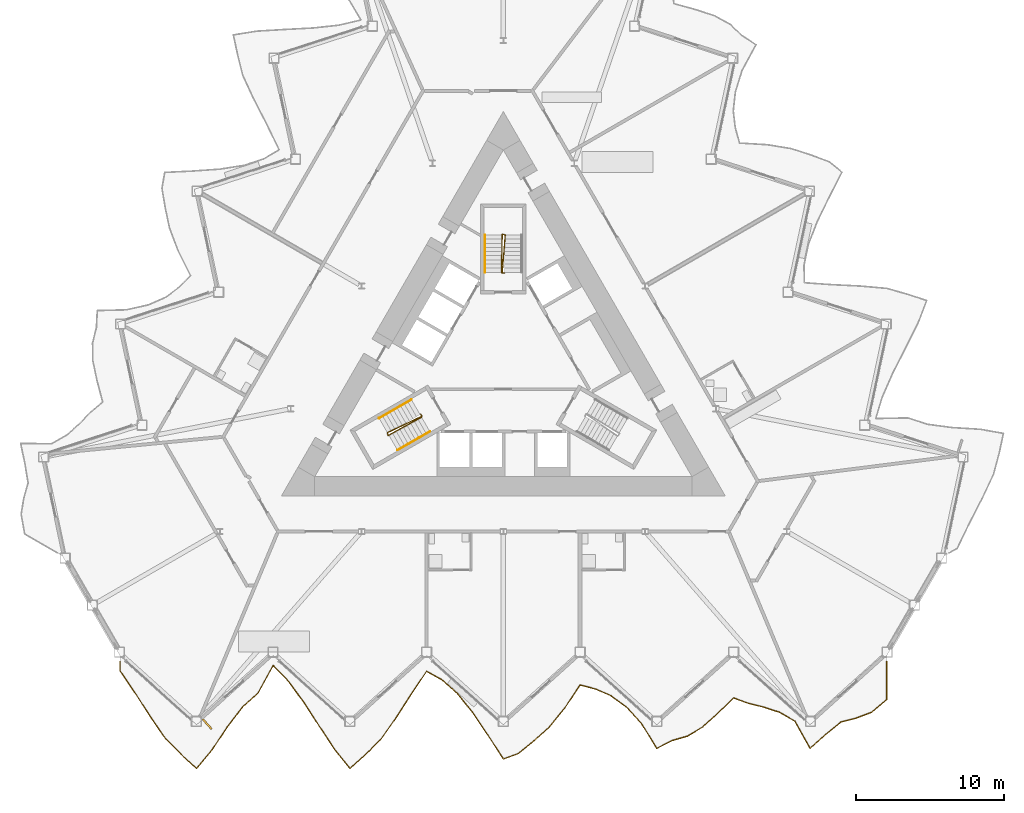
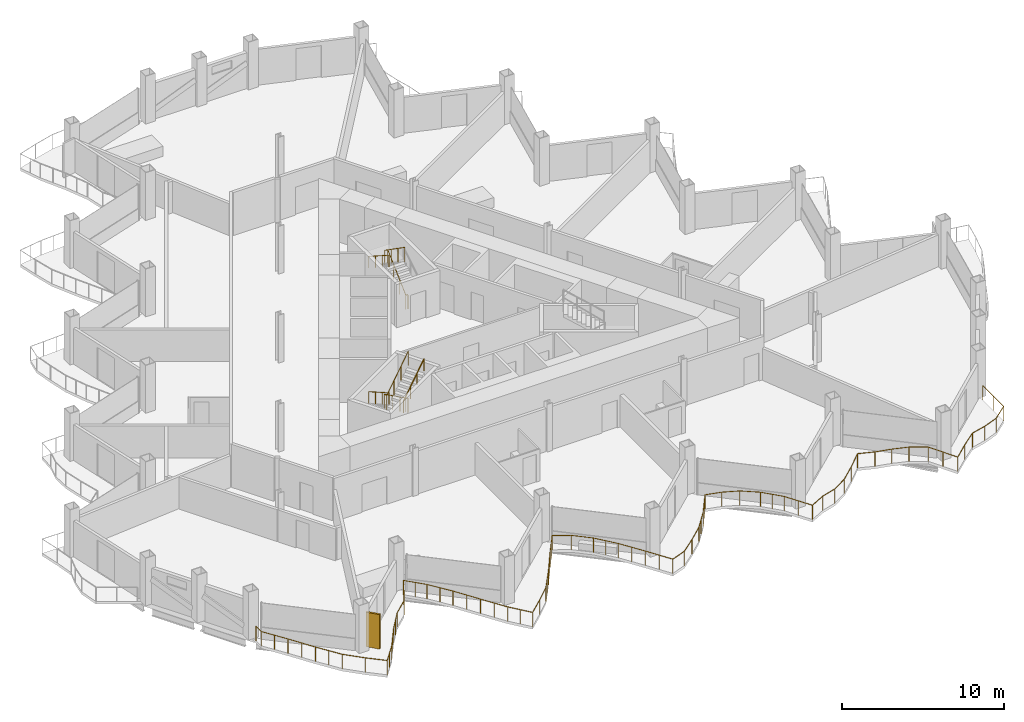
# One storey, part 19 of 23: 6 railings, 1 shading device.
"""IFC4 building model written with IfcOpenShell, lengths in metres."""

from ifc_helpers import new_model, si_unit, direction, frame, origin, origin_2d, place, context, subcontext, project, spatial, rectangle, circle, extrude, material, layer, layer_set, type_object, element, save


model = new_model("IFC4")

# Units and contexts
model_context = context("Model", 3, precision=1e-05, world=origin(), true_north=direction((0.0, 1.0)))
body_context = subcontext(model_context, "Body", "Model", "MODEL_VIEW")
ifc_project = project(units=[si_unit("LENGTHUNIT", "METRE"), si_unit("AREAUNIT", "SQUARE_METRE"), si_unit("VOLUMEUNIT", "CUBIC_METRE"), si_unit("PLANEANGLEUNIT", "RADIAN"), si_unit("MASSUNIT", "GRAM", prefix="KILO")], contexts=[model_context])

# Site, building, storey
site_placement = place(None, origin())
site = spatial("IfcSite", under=ifc_project, at=site_placement, CompositionType="ELEMENT")
building_placement = place(site_placement, origin())
building = spatial("IfcBuilding", under=site, at=building_placement, Name="Cormorant Prow Tower", CompositionType="ELEMENT")
storey_placement = place(building_placement, frame((0.0, 0.0, 267.0)))
storey = spatial("IfcBuildingStorey", under=building, at=storey_placement, Name="L60", CompositionType="ELEMENT", Elevation=267.0)

# Railings
ifc_material_1 = material(Name="Aluminium 6063-T6", Category="aluminium")
railing_type_1 = type_object("IfcRailingType", Name="Balcony guard 1100", PredefinedType="GUARDRAIL", material=ifc_material_1)
railing_1_placement = place(storey_placement, frame((-25.913330078125, -19.836181640625, 0.0)))
element("IfcRailing", 1, at=railing_1_placement, inside=storey, type_object=railing_type_1, Name="Balcony guard S", PredefinedType="GUARDRAIL", context=body_context, shape_type="SweptSolid", body=[
    extrude(circle(Radius=0.02392578125, at=origin_2d()), frame((0.0, 0.0, 1.076171875), z_axis=(0.0, -1.0, 0.0), x_axis=(1.0, 0.0, 0.0)), (0.0, 0.0, 1.0), 0.63623046875),
    extrude(circle(Radius=0.02392578125, at=origin_2d()), frame((0.0, -0.63623046875, 1.076171875), z_axis=(0.562686939233, -0.826670072288, 0.0), x_axis=(0.826670072288, 0.562686939233, 0.0)), (0.0, 0.0, 1.0), 1.84228515625),
    extrude(circle(Radius=0.02392578125, at=origin_2d()), frame((1.03662109375, -2.1591796875, 1.076171875), z_axis=(0.541531067199, -0.840680738008, 0.0), x_axis=(0.840680738008, 0.541531067199, 0.0)), (0.0, 0.0, 1.0), 1.913818359375),
    extrude(circle(Radius=0.02392578125, at=origin_2d()), frame((2.072998046875, -3.76806640625, 1.076171875), z_axis=(0.569154214885, -0.822230794655, 0.0), x_axis=(0.822230794655, 0.569154214885, 0.0)), (0.0, 0.0, 1.0), 1.8212890625),
    extrude(circle(Radius=0.02392578125, at=origin_2d()), frame((3.109619140625, -5.265625, 1.076171875), z_axis=(0.706773790057, -0.707439615578, 0.0), x_axis=(0.707439615578, 0.706773790057, 0.0)), (0.0, 0.0, 1.0), 1.466796875),
    extrude(circle(Radius=0.02392578125, at=origin_2d()), frame((4.146240234375, -6.30322265625, 1.076171875), z_axis=(0.743076506479, -0.669206474504, 0.0), x_axis=(0.669206474504, 0.743076506479, 0.0)), (0.0, 0.0, 1.0), 1.394775390625),
    extrude(circle(Radius=0.02392578125, at=origin_2d()), frame((5.1826171875, -7.236572265625, 1.076171875), z_axis=(0.642577870707, 0.766220386102, 0.0), x_axis=(-0.766220386102, 0.642577870707, 0.0)), (0.0, 0.0, 1.0), 1.61328125),
    extrude(circle(Radius=0.02392578125, at=origin_2d()), frame((6.21923828125, -6.00048828125, 1.076171875), z_axis=(0.552265995269, 0.833667961763, 0.0), x_axis=(-0.833667961763, 0.552265995269, 0.0)), (0.0, 0.0, 1.0), 1.876708984375),
    extrude(circle(Radius=0.02392578125, at=origin_2d()), frame((7.255615234375, -4.43603515625, 1.076171875), z_axis=(0.609211397349, 0.793007864614, 0.0), x_axis=(-0.793007864614, 0.609211397349, 0.0)), (0.0, 0.0, 1.0), 1.70166015625),
    extrude(circle(Radius=0.02392578125, at=origin_2d()), frame((8.292236328125, -3.086669921875, 1.076171875), z_axis=(0.743076506479, 0.669206474504, 0.0), x_axis=(-0.669206474504, 0.743076506479, 0.0)), (0.0, 0.0, 1.0), 1.394775390625),
    extrude(circle(Radius=0.02392578125, at=origin_2d()), frame((9.32861328125, -2.1533203125, 1.076171875), z_axis=(0.482302423528, 0.876004778674, 0.0), x_axis=(-0.876004778674, 0.482302423528, 0.0)), (0.0, 0.0, 1.0), 2.1494140625),
    extrude(circle(Radius=0.02392578125, at=origin_2d()), frame((10.365234375, -0.2705078125, 1.076171875), z_axis=(0.684911721524, -0.728626058908, 0.0), x_axis=(0.728626058908, 0.684911721524, 0.0)), (0.0, 0.0, 1.0), 1.513427734375),
    extrude(circle(Radius=0.02392578125, at=origin_2d()), frame((11.40185546875, -1.373291015625, 1.076171875), z_axis=(0.589814520171, -0.807538749408, 0.0), x_axis=(0.807538749408, 0.589814520171, 0.0)), (0.0, 0.0, 1.0), 1.757080078125),
    extrude(circle(Radius=0.02392578125, at=origin_2d()), frame((12.438232421875, -2.792236328125, 1.076171875), z_axis=(0.545475940819, -0.838126480901, 0.0), x_axis=(0.838126480901, 0.545475940819, 0.0)), (0.0, 0.0, 1.0), 1.900390625),
    extrude(circle(Radius=0.02392578125, at=origin_2d()), frame((13.474853515625, -4.385009765625, 1.076171875), z_axis=(0.550087543381, -0.83510699591, 0.0), x_axis=(0.83510699591, 0.550087543381, 0.0)), (0.0, 0.0, 1.0), 1.884521484375),
    extrude(circle(Radius=0.02392578125, at=origin_2d()), frame((14.511474609375, -5.958740234375, 1.076171875), z_axis=(0.629910840511, -0.776667453294, 0.0), x_axis=(0.776667453294, 0.629910840511, 0.0)), (0.0, 0.0, 1.0), 1.645263671875),
    extrude(circle(Radius=0.02392578125, at=origin_2d()), frame((15.5478515625, -7.236572265625, 1.076171875), z_axis=(0.743154883973, 0.669119435099, 0.0), x_axis=(-0.669119435099, 0.743154883973, 0.0)), (0.0, 0.0, 1.0), 1.394775390625),
    extrude(circle(Radius=0.02392578125, at=origin_2d()), frame((16.58447265625, -6.30322265625, 1.076171875), z_axis=(0.717928560111, 0.69611678803, 0.0), x_axis=(-0.69611678803, 0.717928560111, 0.0)), (0.0, 0.0, 1.0), 1.44384765625),
    extrude(circle(Radius=0.02392578125, at=origin_2d()), frame((17.62109375, -5.298095703125, 1.076171875), z_axis=(0.573253920579, 0.819377777671, 0.0), x_axis=(-0.819377777671, 0.573253920579, 0.0)), (0.0, 0.0, 1.0), 1.808349609375),
    extrude(circle(Radius=0.02392578125, at=origin_2d()), frame((18.65771484375, -3.81640625, 1.076171875), z_axis=(0.541879703733, 0.840456058746, 0.0), x_axis=(-0.840456058746, 0.541879703733, 0.0)), (0.0, 0.0, 1.0), 1.91259765625),
    extrude(circle(Radius=0.02392578125, at=origin_2d()), frame((19.694091796875, -2.208984375, 1.076171875), z_axis=(0.559434385603, 0.82887463962, 0.0), x_axis=(-0.82887463962, 0.559434385603, 0.0)), (0.0, 0.0, 1.0), 1.85302734375),
    extrude(circle(Radius=0.02392578125, at=origin_2d()), frame((20.730712890625, -0.673095703125, 1.076171875), z_axis=(0.873185490009, -0.487388038465, 0.0), x_axis=(0.487388038465, 0.873185490009, 0.0)), (0.0, 0.0, 1.0), 1.187255859375),
    extrude(circle(Radius=0.02392578125, at=origin_2d()), frame((21.767333984375, -1.251708984375, 1.076171875), z_axis=(0.744295916099, -0.667849975128, 0.0), x_axis=(0.667849975128, 0.744295916099, 0.0)), (0.0, 0.0, 1.0), 1.392333984375),
    extrude(circle(Radius=0.02392578125, at=origin_2d()), frame((22.8037109375, -2.181640625, 1.076171875), z_axis=(0.628550718295, -0.777768599605, 0.0), x_axis=(0.777768599605, 0.628550718295, 0.0)), (0.0, 0.0, 1.0), 1.649169921875),
    extrude(circle(Radius=0.02392578125, at=origin_2d()), frame((23.84033203125, -3.46435546875, 1.076171875), z_axis=(0.560016516668, -0.828481442797, 0.0), x_axis=(0.828481442797, 0.560016516668, 0.0)), (0.0, 0.0, 1.0), 1.8505859375),
    extrude(circle(Radius=0.02392578125, at=origin_2d()), frame((24.876708984375, -4.99755859375, 1.076171875), z_axis=(0.54191173054, -0.840435408763, 0.0), x_axis=(0.840435408763, 0.54191173054, 0.0)), (0.0, 0.0, 1.0), 1.912841796875),
    extrude(circle(Radius=0.02392578125, at=origin_2d()), frame((25.913330078125, -6.605224609375, 1.076171875), z_axis=(0.938580659023, 0.345059917272, 0.0), x_axis=(-0.345059917272, 0.938580659023, 0.0)), (0.0, 0.0, 1.0), 1.1044921875),
    extrude(circle(Radius=0.02392578125, at=origin_2d()), frame((26.949951171875, -6.22412109375, 1.076171875), z_axis=(0.771741279399, 0.635936630233, 0.0), x_axis=(-0.635936630233, 0.771741279399, 0.0)), (0.0, 0.0, 1.0), 1.343017578125),
    extrude(circle(Radius=0.02392578125, at=origin_2d()), frame((27.986328125, -5.3701171875, 1.076171875), z_axis=(0.743154883973, 0.669119435099, 0.0), x_axis=(-0.669119435099, 0.743154883973, 0.0)), (0.0, 0.0, 1.0), 1.394775390625),
    extrude(circle(Radius=0.02392578125, at=origin_2d()), frame((29.02294921875, -4.436767578125, 1.076171875), z_axis=(0.632750644133, 0.774355617497, 0.0), x_axis=(-0.774355617497, 0.632750644133, 0.0)), (0.0, 0.0, 1.0), 1.637939453125),
    extrude(circle(Radius=0.02392578125, at=origin_2d()), frame((30.059326171875, -3.16845703125, 1.076171875), z_axis=(0.550563985449, 0.834792967104, 0.0), x_axis=(-0.834792967104, 0.550563985449, 0.0)), (0.0, 0.0, 1.0), 1.8828125),
    extrude(circle(Radius=0.02392578125, at=origin_2d()), frame((31.095947265625, -1.5966796875, 1.076171875), z_axis=(0.967151206586, -0.254201777332, 0.0), x_axis=(0.254201777332, 0.967151206586, 0.0)), (0.0, 0.0, 1.0), 1.07177734375),
    extrude(circle(Radius=0.02392578125, at=origin_2d()), frame((32.132568359375, -1.869140625, 1.076171875), z_axis=(0.919402494626, -0.393318004768, 0.0), x_axis=(0.393318004768, 0.919402494626, 0.0)), (0.0, 0.0, 1.0), 1.127197265625),
    extrude(circle(Radius=0.02392578125, at=origin_2d()), frame((33.1689453125, -2.3125, 1.076171875), z_axis=(0.807377186251, -0.590035659194, 0.0), x_axis=(0.590035659194, 0.807377186251, 0.0)), (0.0, 0.0, 1.0), 1.283935546875),
    extrude(circle(Radius=0.02392578125, at=origin_2d()), frame((34.20556640625, -3.070068359375, 1.076171875), z_axis=(0.678107623012, -0.734962619195, 0.0), x_axis=(0.734962619195, 0.678107623012, 0.0)), (0.0, 0.0, 1.0), 1.52880859375),
    extrude(circle(Radius=0.02392578125, at=origin_2d()), frame((35.2421875, -4.193603515625, 1.076171875), z_axis=(0.522161161507, -0.852846833502, 0.0), x_axis=(0.852846833502, 0.522161161507, 0.0)), (0.0, 0.0, 1.0), 1.9853515625),
    extrude(circle(Radius=0.02392578125, at=origin_2d()), frame((36.27880859375, -5.88671875, 1.076171875), z_axis=(0.890661309048, 0.454667386739, 0.0), x_axis=(-0.454667386739, 0.890661309048, 0.0)), (0.0, 0.0, 1.0), 1.16357421875),
    extrude(circle(Radius=0.02392578125, at=origin_2d()), frame((37.315185546875, -5.357666015625, 1.076171875), z_axis=(0.96057062461, 0.278036104015, 0.0), x_axis=(-0.278036104015, 0.96057062461, 0.0)), (0.0, 0.0, 1.0), 1.0791015625),
    extrude(circle(Radius=0.02392578125, at=origin_2d()), frame((38.351806640625, -5.0576171875, 1.076171875), z_axis=(0.857902695264, 0.513812188897, 0.0), x_axis=(-0.513812188897, 0.857902695264, 0.0)), (0.0, 0.0, 1.0), 1.208251953125),
    extrude(circle(Radius=0.02392578125, at=origin_2d()), frame((39.388427734375, -4.436767578125, 1.076171875), z_axis=(0.743076506479, 0.669206474504, 0.0), x_axis=(-0.669206474504, 0.743076506479, 0.0)), (0.0, 0.0, 1.0), 1.394775390625),
    extrude(circle(Radius=0.02392578125, at=origin_2d()), frame((40.4248046875, -3.50341796875, 1.076171875), z_axis=(0.709275037623, 0.704931855575, 0.0), x_axis=(-0.704931855575, 0.709275037623, 0.0)), (0.0, 0.0, 1.0), 1.46142578125),
    extrude(circle(Radius=0.02392578125, at=origin_2d()), frame((41.46142578125, -2.47314453125, 1.076171875), z_axis=(0.940997544156, -0.338413389055, 0.0), x_axis=(0.338413389055, 0.940997544156, 0.0)), (0.0, 0.0, 1.0), 1.1015625),
    extrude(circle(Radius=0.02392578125, at=origin_2d()), frame((42.498046875, -2.845947265625, 1.076171875), z_axis=(0.970424235794, -0.241405887632, 0.0), x_axis=(0.241405887632, 0.970424235794, 0.0)), (0.0, 0.0, 1.0), 1.06787109375),
    extrude(circle(Radius=0.02392578125, at=origin_2d()), frame((43.534423828125, -3.103759765625, 1.076171875), z_axis=(0.950039332084, -0.312130209198, 0.0), x_axis=(0.312130209198, 0.950039332084, 0.0)), (0.0, 0.0, 1.0), 1.091064453125),
    extrude(circle(Radius=0.02392578125, at=origin_2d()), frame((44.571044921875, -3.4443359375, 1.076171875), z_axis=(0.866542200502, -0.499103811596, 0.0), x_axis=(0.499103811596, 0.866542200502, 0.0)), (0.0, 0.0, 1.0), 1.196044921875),
    extrude(circle(Radius=0.02392578125, at=origin_2d()), frame((45.607421875, -4.041259765625, 1.076171875), z_axis=(0.489740916675, -0.8718680144, 0.0), x_axis=(0.8718680144, 0.489740916675, 0.0)), (0.0, 0.0, 1.0), 2.11669921875),
    extrude(circle(Radius=0.02392578125, at=origin_2d()), frame((46.64404296875, -5.88671875, 1.076171875), z_axis=(0.743076506479, 0.669206474504, 0.0), x_axis=(-0.669206474504, 0.743076506479, 0.0)), (0.0, 0.0, 1.0), 1.394775390625),
    extrude(circle(Radius=0.02392578125, at=origin_2d()), frame((47.680419921875, -4.953369140625, 1.076171875), z_axis=(0.773153498157, 0.634218943495, 0.0), x_axis=(-0.634218943495, 0.773153498157, 0.0)), (0.0, 0.0, 1.0), 1.3408203125),
    extrude(circle(Radius=0.02392578125, at=origin_2d()), frame((48.717041015625, -4.10302734375, 1.076171875), z_axis=(0.96984618493, 0.243717823674, 0.0), x_axis=(-0.243717823674, 0.96984618493, 0.0)), (0.0, 0.0, 1.0), 1.06884765625),
    extrude(circle(Radius=0.02392578125, at=origin_2d()), frame((49.753662109375, -3.842529296875, 1.076171875), z_axis=(0.934790892497, 0.355198518162, 0.0), x_axis=(-0.355198518162, 0.934790892497, 0.0)), (0.0, 0.0, 1.0), 1.108642578125),
    extrude(circle(Radius=0.02392578125, at=origin_2d()), frame((50.7900390625, -3.44873046875, 1.076171875), z_axis=(0.76283401847, 0.646594355269, 0.0), x_axis=(-0.646594355269, 0.76283401847, 0.0)), (0.0, 0.0, 1.0), 1.35888671875),
    extrude(circle(Radius=0.02392578125, at=origin_2d()), frame((51.82666015625, -2.570068359375, 1.076171875), z_axis=(0.0, 1.0, 0.0), x_axis=(-1.0, 0.0, 0.0)), (0.0, 0.0, 1.0), 2.570068359375),
    extrude(circle(Radius=0.02099609375, at=origin_2d()), origin(), (0.0, 0.0, 1.0), 1.052001953125),
    extrude(circle(Radius=0.02099609375, at=origin_2d()), frame((0.0, -0.63623046875, 0.0)), (0.0, 0.0, 1.0), 1.052001953125),
    extrude(circle(Radius=0.02099609375, at=origin_2d()), frame((0.518310546875, -1.397705078125, 0.0)), (0.0, 0.0, 1.0), 1.052001953125),
    extrude(circle(Radius=0.02099609375, at=origin_2d()), frame((1.03662109375, -2.1591796875, 0.0)), (0.0, 0.0, 1.0), 1.052001953125),
    extrude(circle(Radius=0.02099609375, at=origin_2d()), frame((1.5546875, -2.963623046875, 0.0)), (0.0, 0.0, 1.0), 1.052001953125),
    extrude(circle(Radius=0.02099609375, at=origin_2d()), frame((2.072998046875, -3.76806640625, 0.0)), (0.0, 0.0, 1.0), 1.052001953125),
    extrude(circle(Radius=0.02099609375, at=origin_2d()), frame((2.59130859375, -4.516845703125, 0.0)), (0.0, 0.0, 1.0), 1.052001953125),
    extrude(circle(Radius=0.02099609375, at=origin_2d()), frame((3.109619140625, -5.265625, 0.0)), (0.0, 0.0, 1.0), 1.052001953125),
    extrude(circle(Radius=0.02099609375, at=origin_2d()), frame((4.146240234375, -6.30322265625, 0.0)), (0.0, 0.0, 1.0), 1.052001953125),
    extrude(circle(Radius=0.02099609375, at=origin_2d()), frame((5.1826171875, -7.236572265625, 0.0)), (0.0, 0.0, 1.0), 1.052001953125),
    extrude(circle(Radius=0.02099609375, at=origin_2d()), frame((5.700927734375, -6.61865234375, 0.0)), (0.0, 0.0, 1.0), 1.052001953125),
    extrude(circle(Radius=0.02099609375, at=origin_2d()), frame((6.21923828125, -6.00048828125, 0.0)), (0.0, 0.0, 1.0), 1.052001953125),
    extrude(circle(Radius=0.02099609375, at=origin_2d()), frame((6.7373046875, -5.21826171875, 0.0)), (0.0, 0.0, 1.0), 1.052001953125),
    extrude(circle(Radius=0.02099609375, at=origin_2d()), frame((7.255615234375, -4.43603515625, 0.0)), (0.0, 0.0, 1.0), 1.052001953125),
    extrude(circle(Radius=0.02099609375, at=origin_2d()), frame((7.77392578125, -3.76123046875, 0.0)), (0.0, 0.0, 1.0), 1.052001953125),
    extrude(circle(Radius=0.02099609375, at=origin_2d()), frame((8.292236328125, -3.086669921875, 0.0)), (0.0, 0.0, 1.0), 1.052001953125),
    extrude(circle(Radius=0.02099609375, at=origin_2d()), frame((9.32861328125, -2.1533203125, 0.0)), (0.0, 0.0, 1.0), 1.052001953125),
    extrude(circle(Radius=0.02099609375, at=origin_2d()), frame((9.846923828125, -1.2119140625, 0.0)), (0.0, 0.0, 1.0), 1.052001953125),
    extrude(circle(Radius=0.02099609375, at=origin_2d()), frame((10.365234375, -0.2705078125, 0.0)), (0.0, 0.0, 1.0), 1.052001953125),
    extrude(circle(Radius=0.02099609375, at=origin_2d()), frame((10.883544921875, -0.82177734375, 0.0)), (0.0, 0.0, 1.0), 1.052001953125),
    extrude(circle(Radius=0.02099609375, at=origin_2d()), frame((11.40185546875, -1.373291015625, 0.0)), (0.0, 0.0, 1.0), 1.052001953125),
    extrude(circle(Radius=0.02099609375, at=origin_2d()), frame((11.919921875, -2.082763671875, 0.0)), (0.0, 0.0, 1.0), 1.052001953125),
    extrude(circle(Radius=0.02099609375, at=origin_2d()), frame((12.438232421875, -2.792236328125, 0.0)), (0.0, 0.0, 1.0), 1.052001953125),
    extrude(circle(Radius=0.02099609375, at=origin_2d()), frame((12.95654296875, -3.588623046875, 0.0)), (0.0, 0.0, 1.0), 1.052001953125),
    extrude(circle(Radius=0.02099609375, at=origin_2d()), frame((13.474853515625, -4.385009765625, 0.0)), (0.0, 0.0, 1.0), 1.052001953125),
    extrude(circle(Radius=0.02099609375, at=origin_2d()), frame((13.9931640625, -5.171875, 0.0)), (0.0, 0.0, 1.0), 1.052001953125),
    extrude(circle(Radius=0.02099609375, at=origin_2d()), frame((14.511474609375, -5.958740234375, 0.0)), (0.0, 0.0, 1.0), 1.052001953125),
    extrude(circle(Radius=0.02099609375, at=origin_2d()), frame((15.02978515625, -6.59765625, 0.0)), (0.0, 0.0, 1.0), 1.052001953125),
    extrude(circle(Radius=0.02099609375, at=origin_2d()), frame((15.5478515625, -7.236572265625, 0.0)), (0.0, 0.0, 1.0), 1.052001953125),
    extrude(circle(Radius=0.02099609375, at=origin_2d()), frame((16.58447265625, -6.30322265625, 0.0)), (0.0, 0.0, 1.0), 1.052001953125),
    extrude(circle(Radius=0.02099609375, at=origin_2d()), frame((17.62109375, -5.298095703125, 0.0)), (0.0, 0.0, 1.0), 1.052001953125),
    extrude(circle(Radius=0.02099609375, at=origin_2d()), frame((18.139404296875, -4.55712890625, 0.0)), (0.0, 0.0, 1.0), 1.052001953125),
    extrude(circle(Radius=0.02099609375, at=origin_2d()), frame((18.65771484375, -3.81640625, 0.0)), (0.0, 0.0, 1.0), 1.052001953125),
    extrude(circle(Radius=0.02099609375, at=origin_2d()), frame((19.17578125, -3.0126953125, 0.0)), (0.0, 0.0, 1.0), 1.052001953125),
    extrude(circle(Radius=0.02099609375, at=origin_2d()), frame((19.694091796875, -2.208984375, 0.0)), (0.0, 0.0, 1.0), 1.052001953125),
    extrude(circle(Radius=0.02099609375, at=origin_2d()), frame((20.21240234375, -1.44091796875, 0.0)), (0.0, 0.0, 1.0), 1.052001953125),
    extrude(circle(Radius=0.02099609375, at=origin_2d()), frame((20.730712890625, -0.673095703125, 0.0)), (0.0, 0.0, 1.0), 1.052001953125),
    extrude(circle(Radius=0.02099609375, at=origin_2d()), frame((21.767333984375, -1.251708984375, 0.0)), (0.0, 0.0, 1.0), 1.052001953125),
    extrude(circle(Radius=0.02099609375, at=origin_2d()), frame((22.8037109375, -2.181640625, 0.0)), (0.0, 0.0, 1.0), 1.052001953125),
    extrude(circle(Radius=0.02099609375, at=origin_2d()), frame((23.322021484375, -2.822998046875, 0.0)), (0.0, 0.0, 1.0), 1.052001953125),
    extrude(circle(Radius=0.02099609375, at=origin_2d()), frame((23.84033203125, -3.46435546875, 0.0)), (0.0, 0.0, 1.0), 1.052001953125),
    extrude(circle(Radius=0.02099609375, at=origin_2d()), frame((24.3583984375, -4.23095703125, 0.0)), (0.0, 0.0, 1.0), 1.052001953125),
    extrude(circle(Radius=0.02099609375, at=origin_2d()), frame((24.876708984375, -4.99755859375, 0.0)), (0.0, 0.0, 1.0), 1.052001953125),
    extrude(circle(Radius=0.02099609375, at=origin_2d()), frame((25.39501953125, -5.80126953125, 0.0)), (0.0, 0.0, 1.0), 1.052001953125),
    extrude(circle(Radius=0.02099609375, at=origin_2d()), frame((25.913330078125, -6.605224609375, 0.0)), (0.0, 0.0, 1.0), 1.052001953125),
    extrude(circle(Radius=0.02099609375, at=origin_2d()), frame((26.949951171875, -6.22412109375, 0.0)), (0.0, 0.0, 1.0), 1.052001953125),
    extrude(circle(Radius=0.02099609375, at=origin_2d()), frame((27.986328125, -5.3701171875, 0.0)), (0.0, 0.0, 1.0), 1.052001953125),
    extrude(circle(Radius=0.02099609375, at=origin_2d()), frame((29.02294921875, -4.436767578125, 0.0)), (0.0, 0.0, 1.0), 1.052001953125),
    extrude(circle(Radius=0.02099609375, at=origin_2d()), frame((29.541015625, -3.802734375, 0.0)), (0.0, 0.0, 1.0), 1.052001953125),
    extrude(circle(Radius=0.02099609375, at=origin_2d()), frame((30.059326171875, -3.16845703125, 0.0)), (0.0, 0.0, 1.0), 1.052001953125),
    extrude(circle(Radius=0.02099609375, at=origin_2d()), frame((30.57763671875, -2.382568359375, 0.0)), (0.0, 0.0, 1.0), 1.052001953125),
    extrude(circle(Radius=0.02099609375, at=origin_2d()), frame((31.095947265625, -1.5966796875, 0.0)), (0.0, 0.0, 1.0), 1.052001953125),
    extrude(circle(Radius=0.02099609375, at=origin_2d()), frame((32.132568359375, -1.869140625, 0.0)), (0.0, 0.0, 1.0), 1.052001953125),
    extrude(circle(Radius=0.02099609375, at=origin_2d()), frame((33.1689453125, -2.3125, 0.0)), (0.0, 0.0, 1.0), 1.052001953125),
    extrude(circle(Radius=0.02099609375, at=origin_2d()), frame((34.20556640625, -3.070068359375, 0.0)), (0.0, 0.0, 1.0), 1.052001953125),
    extrude(circle(Radius=0.02099609375, at=origin_2d()), frame((34.723876953125, -3.6318359375, 0.0)), (0.0, 0.0, 1.0), 1.052001953125),
    extrude(circle(Radius=0.02099609375, at=origin_2d()), frame((35.2421875, -4.193603515625, 0.0)), (0.0, 0.0, 1.0), 1.052001953125),
    extrude(circle(Radius=0.02099609375, at=origin_2d()), frame((35.760498046875, -5.0400390625, 0.0)), (0.0, 0.0, 1.0), 1.052001953125),
    extrude(circle(Radius=0.02099609375, at=origin_2d()), frame((36.27880859375, -5.88671875, 0.0)), (0.0, 0.0, 1.0), 1.052001953125),
    extrude(circle(Radius=0.02099609375, at=origin_2d()), frame((37.315185546875, -5.357666015625, 0.0)), (0.0, 0.0, 1.0), 1.052001953125),
    extrude(circle(Radius=0.02099609375, at=origin_2d()), frame((38.351806640625, -5.0576171875, 0.0)), (0.0, 0.0, 1.0), 1.052001953125),
    extrude(circle(Radius=0.02099609375, at=origin_2d()), frame((39.388427734375, -4.436767578125, 0.0)), (0.0, 0.0, 1.0), 1.052001953125),
    extrude(circle(Radius=0.02099609375, at=origin_2d()), frame((40.4248046875, -3.50341796875, 0.0)), (0.0, 0.0, 1.0), 1.052001953125),
    extrude(circle(Radius=0.02099609375, at=origin_2d()), frame((41.46142578125, -2.47314453125, 0.0)), (0.0, 0.0, 1.0), 1.052001953125),
    extrude(circle(Radius=0.02099609375, at=origin_2d()), frame((42.498046875, -2.845947265625, 0.0)), (0.0, 0.0, 1.0), 1.052001953125),
    extrude(circle(Radius=0.02099609375, at=origin_2d()), frame((43.534423828125, -3.103759765625, 0.0)), (0.0, 0.0, 1.0), 1.052001953125),
    extrude(circle(Radius=0.02099609375, at=origin_2d()), frame((44.571044921875, -3.4443359375, 0.0)), (0.0, 0.0, 1.0), 1.052001953125),
    extrude(circle(Radius=0.02099609375, at=origin_2d()), frame((45.607421875, -4.041259765625, 0.0)), (0.0, 0.0, 1.0), 1.052001953125),
    extrude(circle(Radius=0.02099609375, at=origin_2d()), frame((46.125732421875, -4.9638671875, 0.0)), (0.0, 0.0, 1.0), 1.052001953125),
    extrude(circle(Radius=0.02099609375, at=origin_2d()), frame((46.64404296875, -5.88671875, 0.0)), (0.0, 0.0, 1.0), 1.052001953125),
    extrude(circle(Radius=0.02099609375, at=origin_2d()), frame((47.680419921875, -4.953369140625, 0.0)), (0.0, 0.0, 1.0), 1.052001953125),
    extrude(circle(Radius=0.02099609375, at=origin_2d()), frame((48.717041015625, -4.10302734375, 0.0)), (0.0, 0.0, 1.0), 1.052001953125),
    extrude(circle(Radius=0.02099609375, at=origin_2d()), frame((49.753662109375, -3.842529296875, 0.0)), (0.0, 0.0, 1.0), 1.052001953125),
    extrude(circle(Radius=0.02099609375, at=origin_2d()), frame((50.7900390625, -3.44873046875, 0.0)), (0.0, 0.0, 1.0), 1.052001953125),
    extrude(circle(Radius=0.02099609375, at=origin_2d()), frame((51.82666015625, -2.570068359375, 0.0)), (0.0, 0.0, 1.0), 1.052001953125),
    extrude(circle(Radius=0.02099609375, at=origin_2d()), frame((51.82666015625, -1.28515625, 0.0)), (0.0, 0.0, 1.0), 1.052001953125),
    extrude(circle(Radius=0.02099609375, at=origin_2d()), frame((51.82666015625, 0.0, 0.0)), (0.0, 0.0, 1.0), 1.052001953125),
])
ifc_material_2 = material(Name="Stainless steel", Category="steel")
railing_type_2 = type_object("IfcRailingType", Name="Stair guard 1100", PredefinedType="GUARDRAIL", material=ifc_material_2)
railing_2_placement = place(storey_placement, frame((-5.585205078125, -3.137939453125, 0.0)))
element("IfcRailing", 2, at=railing_2_placement, inside=storey, type_object=railing_type_2, Name="L60 ST1 stair guard 1", PredefinedType="GUARDRAIL", context=body_context, shape_type="SweptSolid", body=[
    extrude(circle(Radius=0.02392578125, at=origin_2d()), frame((0.0, 0.0, 1.076171875), z_axis=(0.501036270542, -0.865426285481, 0.0), x_axis=(0.865426285481, 0.501036270542, 0.0)), (0.0, 0.0, 1.0), 0.150146484375),
    extrude(circle(Radius=0.02392578125, at=origin_2d()), frame((0.0751953125, -0.1298828125, 1.076171875), z_axis=(-0.739707038506, -0.353624380995, 0.572523619033), x_axis=(0.431308035802, -0.902204731895, 0.0)), (0.0, 0.0, 1.0), 3.14404296875),
    extrude(circle(Radius=0.02392578125, at=origin_2d()), frame((-2.25048828125, -1.24169921875, 2.8759765625), z_axis=(0.274721127897, -0.961523947641, 0.0), x_axis=(0.961523947641, 0.274721127897, 0.0)), (0.0, 0.0, 1.0), 0.2060546875),
    extrude(circle(Radius=0.02392578125, at=origin_2d()), frame((-2.19384765625, -1.43994140625, 2.8759765625), z_axis=(0.717223475266, 0.39568267656, 0.573607623727), x_axis=(-0.483052234887, 0.87559153626, 0.0)), (0.0, 0.0, 1.0), 3.13818359375),
    extrude(circle(Radius=0.02099609375, at=origin_2d()), origin(), (0.0, 0.0, 1.0), 1.052001953125),
    extrude(circle(Radius=0.02099609375, at=origin_2d()), frame((0.0751953125, -0.1298828125, 0.0)), (0.0, 0.0, 1.0), 1.052001953125),
    extrude(circle(Radius=0.02099609375, at=origin_2d()), frame((-0.699951171875, -0.50048828125, 0.60009765625)), (0.0, 0.0, 1.0), 1.052001953125),
    extrude(circle(Radius=0.02099609375, at=origin_2d()), frame((-1.475341796875, -0.87109375, 1.199951171875)), (0.0, 0.0, 1.0), 1.052001953125),
    extrude(circle(Radius=0.02099609375, at=origin_2d()), frame((-2.25048828125, -1.24169921875, 1.800048828125)), (0.0, 0.0, 1.0), 1.052001953125),
    extrude(circle(Radius=0.02099609375, at=origin_2d()), frame((-2.19384765625, -1.43994140625, 1.800048828125)), (0.0, 0.0, 1.0), 1.052001953125),
    extrude(circle(Radius=0.02099609375, at=origin_2d()), frame((-1.443603515625, -1.026123046875, 2.400146484375)), (0.0, 0.0, 1.0), 1.052001953125),
    extrude(circle(Radius=0.02099609375, at=origin_2d()), frame((-0.693359375, -0.612060546875, 3.0)), (0.0, 0.0, 1.0), 1.052001953125),
    extrude(circle(Radius=0.02099609375, at=origin_2d()), frame((0.056884765625, -0.1982421875, 3.60009765625)), (0.0, 0.0, 1.0), 1.052001953125),
])
railing_3_placement = place(storey_placement, frame((0.074951171875, 6.40576171875, 0.0)))
element("IfcRailing", 3, at=railing_3_placement, inside=storey, type_object=railing_type_2, Name="L60 ST3 stair guard 1", PredefinedType="GUARDRAIL", context=body_context, shape_type="SweptSolid", body=[
    extrude(circle(Radius=0.02392578125, at=origin_2d()), frame((0.0, 0.0, 1.076171875), z_axis=(-1.0, 0.0, 0.0), x_axis=(0.0, -1.0, 0.0)), (0.0, 0.0, 1.0), 0.14990234375),
    extrude(circle(Radius=0.02392578125, at=origin_2d()), frame((-0.14990234375, 0.0, 1.076171875), z_axis=(0.063595540489, 0.817423998443, 0.572515164864), x_axis=(-0.996987254287, 0.077565551559, 0.0)), (0.0, 0.0, 1.0), 3.14404296875),
    extrude(circle(Radius=0.02392578125, at=origin_2d()), frame((0.050048828125, 2.570068359375, 2.8759765625), z_axis=(-0.970072785993, 0.242814311512, 0.0), x_axis=(-0.242814311512, -0.970072785993, 0.0)), (0.0, 0.0, 1.0), 0.2060546875),
    extrude(circle(Radius=0.02392578125, at=origin_2d()), frame((-0.14990234375, 2.6201171875, 2.8759765625), z_axis=(-0.01594855688, -0.818977845239, 0.573603462805), x_axis=(0.999810440751, -0.019470042781, 0.0)), (0.0, 0.0, 1.0), 3.13818359375),
    extrude(circle(Radius=0.02099609375, at=origin_2d()), origin(), (0.0, 0.0, 1.0), 1.052001953125),
    extrude(circle(Radius=0.02099609375, at=origin_2d()), frame((-0.14990234375, 0.0, 0.0)), (0.0, 0.0, 1.0), 1.052001953125),
    extrude(circle(Radius=0.02099609375, at=origin_2d()), frame((-0.083251953125, 0.856689453125, 0.60009765625)), (0.0, 0.0, 1.0), 1.052001953125),
    extrude(circle(Radius=0.02099609375, at=origin_2d()), frame((-0.0166015625, 1.71337890625, 1.199951171875)), (0.0, 0.0, 1.0), 1.052001953125),
    extrude(circle(Radius=0.02099609375, at=origin_2d()), frame((0.050048828125, 2.570068359375, 1.800048828125)), (0.0, 0.0, 1.0), 1.052001953125),
    extrude(circle(Radius=0.02099609375, at=origin_2d()), frame((-0.14990234375, 2.6201171875, 1.800048828125)), (0.0, 0.0, 1.0), 1.052001953125),
    extrude(circle(Radius=0.02099609375, at=origin_2d()), frame((-0.16650390625, 1.763427734375, 2.400146484375)), (0.0, 0.0, 1.0), 1.052001953125),
    extrude(circle(Radius=0.02099609375, at=origin_2d()), frame((-0.183349609375, 0.90673828125, 3.0)), (0.0, 0.0, 1.0), 1.052001953125),
    extrude(circle(Radius=0.02099609375, at=origin_2d()), frame((-0.199951171875, 0.050048828125, 3.60009765625)), (0.0, 0.0, 1.0), 1.052001953125),
])
ifc_material_3 = material(Name="Stainless steel", Category="steel")
railing_type_3 = type_object("IfcRailingType", Name="Stair handrail 900", PredefinedType="HANDRAIL", material=ifc_material_3)
railing_4_placement = place(storey_placement, frame((-6.212890625, -2.150634765625, 0.179931640625)))
element("IfcRailing", 4, at=railing_4_placement, inside=storey, type_object=railing_type_3, Name="L60 ST1 stair handrail 1", PredefinedType="HANDRAIL", context=body_context, shape_type="SweptSolid", body=[
    extrude(circle(Radius=0.02392578125, at=origin_2d()), frame((0.0, 0.0, 0.8759765625), z_axis=(-0.728463801763, -0.420584145978, 0.540785970299), x_axis=(0.500004791531, -0.866022637375, 0.0)), (0.0, 0.0, 1.0), 2.995849609375),
    extrude(circle(Radius=0.02099609375, at=origin_2d()), origin(), (0.0, 0.0, 1.0), 0.851806640625),
    extrude(circle(Radius=0.02099609375, at=origin_2d()), frame((-0.7275390625, -0.419921875, 0.5400390625)), (0.0, 0.0, 1.0), 0.851806640625),
    extrude(circle(Radius=0.02099609375, at=origin_2d()), frame((-1.454833984375, -0.840087890625, 1.080078125)), (0.0, 0.0, 1.0), 0.851806640625),
    extrude(circle(Radius=0.02099609375, at=origin_2d()), frame((-2.182373046875, -1.260009765625, 1.6201171875)), (0.0, 0.0, 1.0), 0.851806640625),
])
railing_5_placement = place(storey_placement, frame((-7.1513671875, -5.565185546875, 1.97998046875)))
element("IfcRailing", 5, at=railing_5_placement, inside=storey, type_object=railing_type_3, Name="L60 ST1 stair handrail 2", PredefinedType="HANDRAIL", context=body_context, shape_type="SweptSolid", body=[
    extrude(circle(Radius=0.02392578125, at=origin_2d()), frame((0.0, 0.0, 0.8759765625), z_axis=(0.728463801763, 0.420584145978, 0.540785970299), x_axis=(-0.500004791531, 0.866022637375, 0.0)), (0.0, 0.0, 1.0), 2.995849609375),
    extrude(circle(Radius=0.02099609375, at=origin_2d()), origin(), (0.0, 0.0, 1.0), 0.851806640625),
    extrude(circle(Radius=0.02099609375, at=origin_2d()), frame((0.7275390625, 0.419921875, 0.5400390625)), (0.0, 0.0, 1.0), 0.851806640625),
    extrude(circle(Radius=0.02099609375, at=origin_2d()), frame((1.454833984375, 0.840087890625, 1.080078125)), (0.0, 0.0, 1.0), 0.851806640625),
    extrude(circle(Radius=0.02099609375, at=origin_2d()), frame((2.182373046875, 1.260009765625, 1.6201171875)), (0.0, 0.0, 1.0), 0.851806640625),
])
railing_6_placement = place(storey_placement, frame((-1.243896484375, 8.975830078125, 1.97998046875)))
element("IfcRailing", 6, at=railing_6_placement, inside=storey, type_object=railing_type_3, Name="L60 ST3 stair handrail 2", PredefinedType="HANDRAIL", context=body_context, shape_type="SweptSolid", body=[
    extrude(circle(Radius=0.02392578125, at=origin_2d()), frame((0.0, 0.0, 0.8759765625), z_axis=(0.0, -0.841162588446, 0.540782303519), x_axis=(1.0, 0.0, 0.0)), (0.0, 0.0, 1.0), 2.995849609375),
    extrude(circle(Radius=0.02099609375, at=origin_2d()), origin(), (0.0, 0.0, 1.0), 0.851806640625),
    extrude(circle(Radius=0.02099609375, at=origin_2d()), frame((0.0, -0.840087890625, 0.5400390625)), (0.0, 0.0, 1.0), 0.851806640625),
    extrude(circle(Radius=0.02099609375, at=origin_2d()), frame((0.0, -1.679931640625, 1.080078125)), (0.0, 0.0, 1.0), 0.851806640625),
    extrude(circle(Radius=0.02099609375, at=origin_2d()), frame((0.0, -2.52001953125, 1.6201171875)), (0.0, 0.0, 1.0), 0.851806640625),
])

# Shading device
ifc_material_4 = material(Name="Terracotta", Category="masonry")
ifc_layer = layer(ifc_material_4, 0.1201171875)
ifc_layer_set = layer_set([ifc_layer], Name="Terracotta")
shading_device_type = type_object("IfcShadingDeviceType", Name="Terracotta baguette fin 120x900x2600", PredefinedType="USERDEFINED", material=ifc_layer_set)
shading_device_placement = place(storey_placement, frame((-20.0126953125, -24.081787109375, 0.0), z_axis=(0.0, 0.0, 1.0), x_axis=(0.743144856192, 0.669130572247, 0.0)))
element("IfcShadingDevice", 7, at=shading_device_placement, inside=storey, type_object=shading_device_type, Name="Baguette fin S01", ObjectType="BAGUETTE", PredefinedType="USERDEFINED", context=body_context, shape_type="SweptSolid", body=[
    extrude(rectangle(XDim=0.1201171875, YDim=0.89990234375, at=origin_2d()), origin(), (0.0, 0.0, 1.0), 2.60009765625),
])

save(model, "model.ifc")
